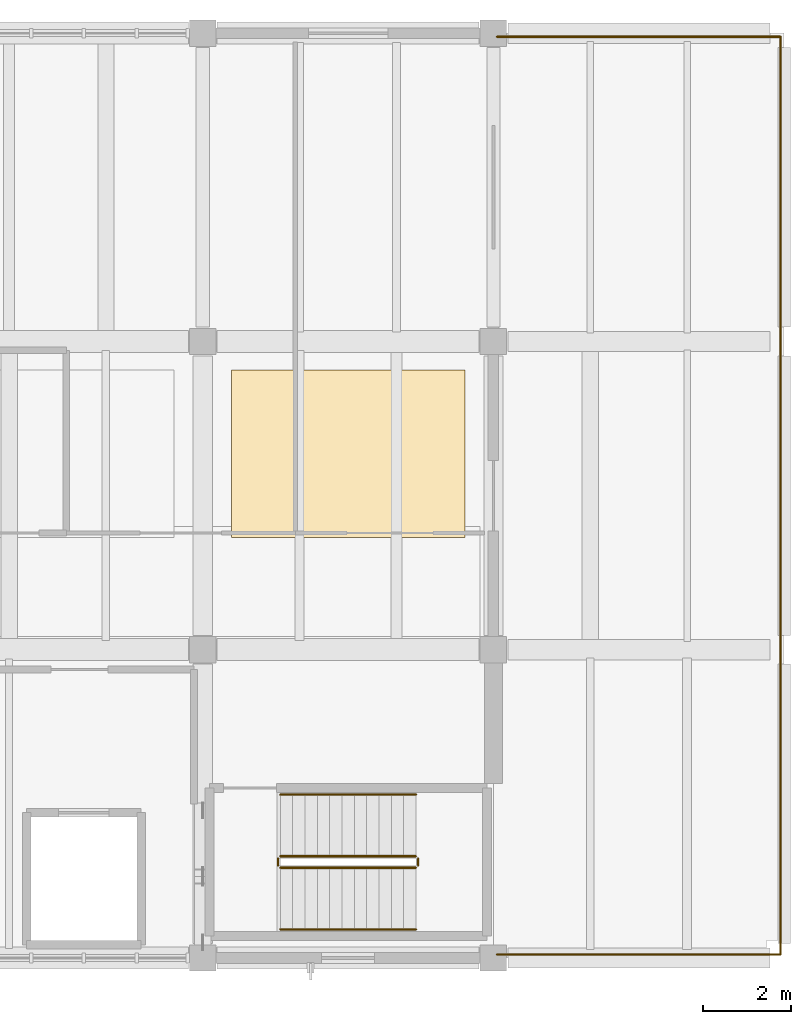
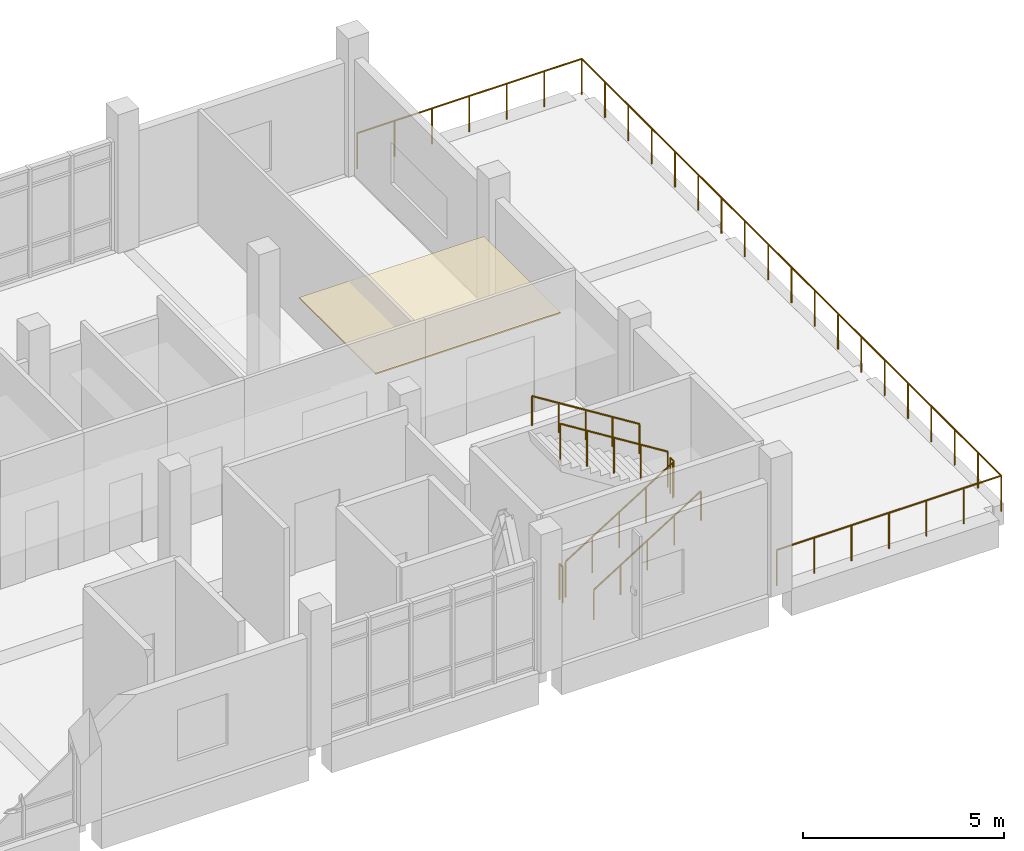
# One storey, part 14 of 14: 9 railings, 1 covering.
"""IFC4 building model written with IfcOpenShell, lengths in metres."""

import ifcopenshell
import ifcopenshell.guid

model = None  # the IFC model being written
_history = None  # IfcOwnerHistory: only IFC2X3 demands one
_inside = {}  # id of a spatial element -> (the spatial element, [elements in it])
_under = {}  # id of a project, library or spatial element -> (it, [spatial elements below it])
_declared = {}  # id of a project -> (the project, [libraries it declares])
_typed = {}  # id of a type object -> (the type object, [elements of that type])
_made_of = {}  # id of a material, layer set ... -> (it, [elements and type objects made of it])


def new_model(schema):
    """Start an empty IFC model of exactly this schema.

    Asked for "IFC4X3", IfcOpenShell would pick the latest addendum, in which some entities
    have other attributes; the version numbers below select the first issue.
    IFC2X3 requires an IfcOwnerHistory on every rooted entity: one is made here for all.
    """
    global model, _history
    if schema == "IFC4X3":
        model = ifcopenshell.file(schema_version=(4, 3, 0, 0))
    else:
        model = ifcopenshell.file(schema=schema)
    _inside.clear()
    _under.clear()
    _declared.clear()
    _typed.clear()
    _made_of.clear()
    _history = None
    if model.schema == "IFC2X3":
        org = make("IfcOrganization", Name="unknown")
        user = make(
            "IfcPersonAndOrganization",
            ThePerson=make("IfcPerson", FamilyName="unknown"),
            TheOrganization=org,
        )
        app = make(
            "IfcApplication",
            ApplicationDeveloper=org,
            Version="unknown",
            ApplicationFullName="unknown",
            ApplicationIdentifier="unknown",
        )
        _history = make(
            "IfcOwnerHistory",
            OwningUser=user,
            OwningApplication=app,
            ChangeAction="ADDED",
            CreationDate=0,
        )
    return model


def make(cls, **values):
    """One entity of the class cls with the attributes given. An attribute that is None is left unset."""
    return model.create_entity(
        cls, **{name: value for name, value in values.items() if value is not None}
    )


def rooted(cls, **values):
    """An entity with a GlobalId (a new one), such as an element, a storey or a relation."""
    return make(cls, GlobalId=ifcopenshell.guid.new(), OwnerHistory=_history, **values)


def si_unit(unit_type, name, prefix=None):
    """IfcSIUnit, for example si_unit("LENGTHUNIT", "METRE", prefix="MILLI")."""
    return make("IfcSIUnit", UnitType=unit_type, Prefix=prefix, Name=name)


def assignment(units):
    """IfcUnitAssignment: the units of a project."""
    return None if units is None else make("IfcUnitAssignment", Units=units)


def point(xyz):
    """IfcCartesianPoint."""
    return None if xyz is None else make("IfcCartesianPoint", Coordinates=xyz)


def direction(xyz):
    """IfcDirection."""
    return None if xyz is None else make("IfcDirection", DirectionRatios=xyz)


def frame(location, z_axis=None, x_axis=None):
    """IfcAxis2Placement3D, a coordinate frame: its origin and axes. An axis left out is left unset."""
    return make(
        "IfcAxis2Placement3D",
        Location=point(location),
        Axis=direction(z_axis),
        RefDirection=direction(x_axis),
    )


def frame_2d(location, x_axis=None):
    """IfcAxis2Placement2D, a coordinate frame in the plane: its origin and x axis."""
    return make(
        "IfcAxis2Placement2D", Location=point(location), RefDirection=direction(x_axis)
    )


def origin():
    """The frame at (0, 0, 0) with its axes left unset."""
    return frame((0.0, 0.0, 0.0))


def origin_2d():
    """The frame at (0, 0) in the plane with its x axis left unset."""
    return frame_2d((0.0, 0.0))


def place(relative_to, where):
    """IfcLocalPlacement: puts the frame where relative to a parent placement (None: the world)."""
    return make(
        "IfcLocalPlacement", PlacementRelTo=relative_to, RelativePlacement=where
    )


def context(
    kind, dimensions, precision=None, world=None, true_north=None, identifier=None
):
    """IfcGeometricRepresentationContext, for example the 3D "Model" context."""
    return make(
        "IfcGeometricRepresentationContext",
        ContextIdentifier=identifier,
        ContextType=kind,
        CoordinateSpaceDimension=dimensions,
        Precision=precision,
        WorldCoordinateSystem=world,
        TrueNorth=true_north,
    )


def subcontext(parent, identifier, kind, view, scale=None):
    """IfcGeometricRepresentationSubContext, for example "Body" below "Model"."""
    return make(
        "IfcGeometricRepresentationSubContext",
        ContextIdentifier=identifier,
        ContextType=kind,
        ParentContext=parent,
        TargetScale=scale,
        TargetView=view,
    )


def project(units=None, contexts=None):
    """IfcProject with its units and contexts."""
    return rooted(
        "IfcProject",
        Name="project",
        RepresentationContexts=contexts,
        UnitsInContext=assignment(units),
    )


def spatial(cls, under=None, at=None, **own):
    """A site, building, storey or space (cls), placed at a placement, below another one or the project."""
    s = rooted(cls, ObjectPlacement=at, **own)
    if under is not None:
        _under.setdefault(under.id(), (under, []))[1].append(s)
    return s


def polyline(points):
    """IfcPolyline through the points."""
    return make("IfcPolyline", Points=[point(p) for p in points])


def profile(cls, at=None, kind="AREA", **sizes):
    """A parametric profile (cls). Its sizes go by their IFC names, for example OverallWidth=200.0."""
    return make(cls, ProfileType=kind, Position=at, **sizes)


def circle(**sizes):
    """IfcCircleProfileDef."""
    return profile("IfcCircleProfileDef", **sizes)


def outline(outer, holes=None, kind="AREA"):
    """IfcArbitraryClosedProfileDef: a profile drawn as a closed curve; with holes, ...WithVoids."""
    if holes is None:
        return make("IfcArbitraryClosedProfileDef", ProfileType=kind, OuterCurve=outer)
    return make(
        "IfcArbitraryProfileDefWithVoids",
        ProfileType=kind,
        OuterCurve=outer,
        InnerCurves=holes,
    )


def extrude(swept, where, along, depth):
    """IfcExtrudedAreaSolid: the profile swept, set in the frame where, extruded along a direction by depth."""
    return make(
        "IfcExtrudedAreaSolid",
        SweptArea=swept,
        Position=where,
        ExtrudedDirection=direction(along),
        Depth=depth,
    )


def shape(context_of_items, identifier, shape_type, items):
    """IfcShapeRepresentation: the items that make up one representation, for example the "Body"."""
    return make(
        "IfcShapeRepresentation",
        ContextOfItems=context_of_items,
        RepresentationIdentifier=identifier,
        RepresentationType=shape_type,
        Items=items,
    )


def material(Name=None, Category=None):
    """IfcMaterial."""
    return make("IfcMaterial", Name=Name, Category=Category)


def layer(
    of_material, thickness, ventilated=None, Name=None, Category=None, Priority=None
):
    """IfcMaterialLayer: one layer of a wall or slab, of a material (None: an air gap)."""
    return make(
        "IfcMaterialLayer",
        Material=of_material,
        LayerThickness=thickness,
        IsVentilated=ventilated,
        Name=Name,
        Category=Category,
        Priority=Priority,
    )


def layer_set(layers, Name=None):
    """IfcMaterialLayerSet."""
    return make("IfcMaterialLayerSet", MaterialLayers=layers, LayerSetName=Name)


def made_of(thing, what):
    """Note that an element or type object is made of a material, layer set ...; save() writes the relation."""
    if what is not None:
        _made_of.setdefault(what.id(), (what, []))[1].append(thing)
    return thing


def type_object(cls, material=None, **own):
    """A type object (cls), such as IfcWallType, which elements share."""
    return made_of(rooted(cls, **own), material)


def element(
    cls,
    number,
    at=None,
    inside=None,
    cuts=None,
    type_object=None,
    material=None,
    context=None,
    identifier="Body",
    shape_type=None,
    held_by="IfcProductDefinitionShape",
    body=None,
    shapes=None,
    **own,
):
    """One element of the class cls, such as IfcWall. Its Tag is "e" and its number.

    at: its placement. inside: the storey or other place that contains it. cuts: it is an
    opening in that element (IfcRelVoidsElement). A single representation is given by context,
    identifier, shape_type and body (its items); several are given by shapes. held_by: the class
    of the entity that holds the representations. save() writes the other relations.
    """
    e = rooted(cls, Tag="e%d" % number, ObjectPlacement=at, **own)
    if body is not None:
        shapes = [shape(context, identifier, shape_type, body)]
    if shapes is not None:
        e.Representation = make(held_by, Representations=shapes)
    if inside is not None:
        _inside.setdefault(inside.id(), (inside, []))[1].append(e)
    if cuts is not None:
        rooted(
            "IfcRelVoidsElement", RelatingBuildingElement=cuts, RelatedOpeningElement=e
        )
    if type_object is not None:
        _typed.setdefault(type_object.id(), (type_object, []))[1].append(e)
    return made_of(e, material)


def aggregate(whole, parts):
    """IfcRelAggregates: a whole, such as a stair, and the parts it consists of."""
    return rooted("IfcRelAggregates", RelatingObject=whole, RelatedObjects=parts)


def save(model, path):
    """Write the relations noted so far, then the file.

    IfcRelAggregates (storeys below a building ...), IfcRelContainedInSpatialStructure (elements
    in a storey), IfcRelDefinesByType, IfcRelAssociatesMaterial and IfcRelDeclares: one each for
    every whole, place, type object, material and project.
    """
    for whole, parts in _under.values():
        aggregate(whole, parts)
    for where, things in _inside.values():
        rooted(
            "IfcRelContainedInSpatialStructure",
            RelatedElements=things,
            RelatingStructure=where,
        )
    for kind, things in _typed.values():
        rooted("IfcRelDefinesByType", RelatedObjects=things, RelatingType=kind)
    for what, things in _made_of.values():
        rooted("IfcRelAssociatesMaterial", RelatedObjects=things, RelatingMaterial=what)
    for by, libraries in _declared.values():
        rooted("IfcRelDeclares", RelatingContext=by, RelatedDefinitions=libraries)
    model.write(path)


model = new_model("IFC4")

# Units and contexts
model_context = context("Model", 3, precision=1e-05, world=origin(), true_north=direction((0.0, 1.0)))
body_context = subcontext(model_context, "Body", "Model", "MODEL_VIEW")
ifc_project = project(units=[si_unit("LENGTHUNIT", "METRE"), si_unit("AREAUNIT", "SQUARE_METRE"), si_unit("VOLUMEUNIT", "CUBIC_METRE"), si_unit("PLANEANGLEUNIT", "RADIAN"), si_unit("MASSUNIT", "GRAM", prefix="KILO")], contexts=[model_context])

# Site, building, storey
site_placement = place(None, origin())
site = spatial("IfcSite", under=ifc_project, at=site_placement, CompositionType="ELEMENT")
building_placement = place(site_placement, origin())
building = spatial("IfcBuilding", under=site, at=building_placement, Name="Ciguamira Faculty of Natural Sciences", CompositionType="ELEMENT")
storey_placement = place(building_placement, frame((0.0, 0.0, 29.39990234375)))
storey = spatial("IfcBuildingStorey", under=building, at=storey_placement, Name="L07", CompositionType="ELEMENT", Elevation=29.39990234375)

# Covering
ifc_material_1 = material(Name="Perforated white acoustic ceiling")
ifc_layer = layer(ifc_material_1, 0.0400390625, Name="Perforated white acoustic ceiling")
ifc_layer_set = layer_set([ifc_layer], Name="Perforated white acoustic ceiling")
covering_type = type_object("IfcCoveringType", Name="AcousticCeiling_AC01", PredefinedType="CEILING", material=ifc_layer_set)
covering_placement = place(storey_placement, frame((0.0, 0.0, 2.760009765625)))
element("IfcCovering", 1, at=covering_placement, inside=storey, type_object=covering_type, Name="L07 research bay 05 acoustic ceiling", PredefinedType="CEILING", context=body_context, shape_type="SweptSolid", body=[
    extrude(outline(polyline([(97.550048828125, 103.550048828125), (102.85009765625, 103.550048828125), (102.85009765625, 107.35009765625), (97.550048828125, 107.35009765625), (97.550048828125, 103.550048828125)])), origin(), (0.0, 0.0, 1.0), 0.0400390625),
])

# Railings
ifc_material_2 = material(Name="Stainless steel balustrade", Category="steel")
railing_type_1 = type_object("IfcRailingType", Name="Guardrail_GR01", PredefinedType="GUARDRAIL", material=ifc_material_2)
railing_1_placement = place(storey_placement, frame((103.580078125, 94.080078125, 0.0)))
element("IfcRailing", 2, at=railing_1_placement, inside=storey, type_object=railing_type_1, Name="L07 Windward Caribbean Loggia Terrace south guardrail", PredefinedType="GUARDRAIL", context=body_context, shape_type="SweptSolid", body=[
    extrude(circle(Radius=0.02392578125, at=origin_2d()), frame((0.0, 0.0, 1.076171875), z_axis=(1.0, 0.0, 0.0), x_axis=(0.0, 1.0, 0.0)), (0.0, 0.0, 1.0), 6.43994140625),
    extrude(circle(Radius=0.02099609375, at=origin_2d()), origin(), (0.0, 0.0, 1.0), 1.052001953125),
    extrude(circle(Radius=0.02099609375, at=origin_2d()), frame((1.0732421875, 0.0, 0.0)), (0.0, 0.0, 1.0), 1.052001953125),
    extrude(circle(Radius=0.02099609375, at=origin_2d()), frame((2.146728515625, 0.0, 0.0)), (0.0, 0.0, 1.0), 1.052001953125),
    extrude(circle(Radius=0.02099609375, at=origin_2d()), frame((3.219970703125, 0.0, 0.0)), (0.0, 0.0, 1.0), 1.052001953125),
    extrude(circle(Radius=0.02099609375, at=origin_2d()), frame((4.293212890625, 0.0, 0.0)), (0.0, 0.0, 1.0), 1.052001953125),
    extrude(circle(Radius=0.02099609375, at=origin_2d()), frame((5.36669921875, 0.0, 0.0)), (0.0, 0.0, 1.0), 1.052001953125),
    extrude(circle(Radius=0.02099609375, at=origin_2d()), frame((6.43994140625, 0.0, 0.0)), (0.0, 0.0, 1.0), 1.052001953125),
])
railing_2_placement = place(storey_placement, frame((110.02001953125, 94.080078125, 0.0)))
element("IfcRailing", 3, at=railing_2_placement, inside=storey, type_object=railing_type_1, Name="L07 Windward Caribbean Loggia Terrace east guardrail", PredefinedType="GUARDRAIL", context=body_context, shape_type="SweptSolid", body=[
    extrude(circle(Radius=0.02392578125, at=origin_2d()), frame((0.0, 0.0, 1.076171875), z_axis=(0.0, 1.0, 0.0), x_axis=(-1.0, 0.0, 0.0)), (0.0, 0.0, 1.0), 20.83984375),
    extrude(circle(Radius=0.02099609375, at=origin_2d()), origin(), (0.0, 0.0, 1.0), 1.052001953125),
    extrude(circle(Radius=0.02099609375, at=origin_2d()), frame((0.0, 1.15771484375, 0.0)), (0.0, 0.0, 1.0), 1.052001953125),
    extrude(circle(Radius=0.02099609375, at=origin_2d()), frame((0.0, 2.3154296875, 0.0)), (0.0, 0.0, 1.0), 1.052001953125),
    extrude(circle(Radius=0.02099609375, at=origin_2d()), frame((0.0, 3.473388671875, 0.0)), (0.0, 0.0, 1.0), 1.052001953125),
    extrude(circle(Radius=0.02099609375, at=origin_2d()), frame((0.0, 4.631103515625, 0.0)), (0.0, 0.0, 1.0), 1.052001953125),
    extrude(circle(Radius=0.02099609375, at=origin_2d()), frame((0.0, 5.788818359375, 0.0)), (0.0, 0.0, 1.0), 1.052001953125),
    extrude(circle(Radius=0.02099609375, at=origin_2d()), frame((0.0, 6.946533203125, 0.0)), (0.0, 0.0, 1.0), 1.052001953125),
    extrude(circle(Radius=0.02099609375, at=origin_2d()), frame((0.0, 8.1044921875, 0.0)), (0.0, 0.0, 1.0), 1.052001953125),
    extrude(circle(Radius=0.02099609375, at=origin_2d()), frame((0.0, 9.26220703125, 0.0)), (0.0, 0.0, 1.0), 1.052001953125),
    extrude(circle(Radius=0.02099609375, at=origin_2d()), frame((0.0, 10.419921875, 0.0)), (0.0, 0.0, 1.0), 1.052001953125),
    extrude(circle(Radius=0.02099609375, at=origin_2d()), frame((0.0, 11.57763671875, 0.0)), (0.0, 0.0, 1.0), 1.052001953125),
    extrude(circle(Radius=0.02099609375, at=origin_2d()), frame((0.0, 12.7353515625, 0.0)), (0.0, 0.0, 1.0), 1.052001953125),
    extrude(circle(Radius=0.02099609375, at=origin_2d()), frame((0.0, 13.893310546875, 0.0)), (0.0, 0.0, 1.0), 1.052001953125),
    extrude(circle(Radius=0.02099609375, at=origin_2d()), frame((0.0, 15.051025390625, 0.0)), (0.0, 0.0, 1.0), 1.052001953125),
    extrude(circle(Radius=0.02099609375, at=origin_2d()), frame((0.0, 16.208740234375, 0.0)), (0.0, 0.0, 1.0), 1.052001953125),
    extrude(circle(Radius=0.02099609375, at=origin_2d()), frame((0.0, 17.366455078125, 0.0)), (0.0, 0.0, 1.0), 1.052001953125),
    extrude(circle(Radius=0.02099609375, at=origin_2d()), frame((0.0, 18.5244140625, 0.0)), (0.0, 0.0, 1.0), 1.052001953125),
    extrude(circle(Radius=0.02099609375, at=origin_2d()), frame((0.0, 19.68212890625, 0.0)), (0.0, 0.0, 1.0), 1.052001953125),
    extrude(circle(Radius=0.02099609375, at=origin_2d()), frame((0.0, 20.83984375, 0.0)), (0.0, 0.0, 1.0), 1.052001953125),
])
railing_3_placement = place(storey_placement, frame((103.580078125, 114.919921875, 0.0)))
element("IfcRailing", 4, at=railing_3_placement, inside=storey, type_object=railing_type_1, Name="L07 Windward Caribbean Loggia Terrace north guardrail", PredefinedType="GUARDRAIL", context=body_context, shape_type="SweptSolid", body=[
    extrude(circle(Radius=0.02392578125, at=origin_2d()), frame((0.0, 0.0, 1.076171875), z_axis=(1.0, 0.0, 0.0), x_axis=(0.0, 1.0, 0.0)), (0.0, 0.0, 1.0), 6.43994140625),
    extrude(circle(Radius=0.02099609375, at=origin_2d()), origin(), (0.0, 0.0, 1.0), 1.052001953125),
    extrude(circle(Radius=0.02099609375, at=origin_2d()), frame((1.0732421875, 0.0, 0.0)), (0.0, 0.0, 1.0), 1.052001953125),
    extrude(circle(Radius=0.02099609375, at=origin_2d()), frame((2.146728515625, 0.0, 0.0)), (0.0, 0.0, 1.0), 1.052001953125),
    extrude(circle(Radius=0.02099609375, at=origin_2d()), frame((3.219970703125, 0.0, 0.0)), (0.0, 0.0, 1.0), 1.052001953125),
    extrude(circle(Radius=0.02099609375, at=origin_2d()), frame((4.293212890625, 0.0, 0.0)), (0.0, 0.0, 1.0), 1.052001953125),
    extrude(circle(Radius=0.02099609375, at=origin_2d()), frame((5.36669921875, 0.0, 0.0)), (0.0, 0.0, 1.0), 1.052001953125),
    extrude(circle(Radius=0.02099609375, at=origin_2d()), frame((6.43994140625, 0.0, 0.0)), (0.0, 0.0, 1.0), 1.052001953125),
])
railing_4_placement = place(storey_placement, frame((98.659912109375, 96.050048828125, 0.175048828125)))
element("IfcRailing", 5, at=railing_4_placement, inside=storey, type_object=railing_type_1, Name="L07 ST-T2 stair guard 1", PredefinedType="GUARDRAIL", context=body_context, shape_type="SweptSolid", body=[
    extrude(circle(Radius=0.02392578125, at=origin_2d()), frame((0.0, 0.0, 1.076171875), z_axis=(0.847998304005, 0.0, 0.529998940003), x_axis=(0.0, 1.0, 0.0)), (0.0, 0.0, 1.0), 3.632080078125),
    extrude(circle(Radius=0.02099609375, at=origin_2d()), origin(), (0.0, 0.0, 1.0), 1.052001953125),
    extrude(circle(Radius=0.02099609375, at=origin_2d()), frame((0.77001953125, 0.0, 0.481201171875)), (0.0, 0.0, 1.0), 1.052001953125),
    extrude(circle(Radius=0.02099609375, at=origin_2d()), frame((1.5400390625, 0.0, 0.96240234375)), (0.0, 0.0, 1.0), 1.052001953125),
    extrude(circle(Radius=0.02099609375, at=origin_2d()), frame((2.31005859375, 0.0, 1.44384765625)), (0.0, 0.0, 1.0), 1.052001953125),
    extrude(circle(Radius=0.02099609375, at=origin_2d()), frame((3.080078125, 0.0, 1.925048828125)), (0.0, 0.0, 1.0), 1.052001953125),
])
railing_5_placement = place(storey_placement, frame((101.7900390625, 96.10009765625, 2.10009765625)))
element("IfcRailing", 6, at=railing_5_placement, inside=storey, type_object=railing_type_1, Name="L07 ST-T2 stair guard 2", PredefinedType="GUARDRAIL", context=body_context, shape_type="SweptSolid", body=[
    extrude(circle(Radius=0.02392578125, at=origin_2d()), frame((0.0, 0.0, 1.076171875), z_axis=(0.0, 1.0, 0.0), x_axis=(-1.0, 0.0, 0.0)), (0.0, 0.0, 1.0), 0.159912109375),
    extrude(circle(Radius=0.02099609375, at=origin_2d()), origin(), (0.0, 0.0, 1.0), 1.052001953125),
    extrude(circle(Radius=0.02099609375, at=origin_2d()), frame((0.0, 0.159912109375, 0.0)), (0.0, 0.0, 1.0), 1.052001953125),
])
railing_6_placement = place(storey_placement, frame((101.739990234375, 96.31005859375, 2.275146484375)))
element("IfcRailing", 7, at=railing_6_placement, inside=storey, type_object=railing_type_1, Name="L07 ST-T2 stair guard 3", PredefinedType="GUARDRAIL", context=body_context, shape_type="SweptSolid", body=[
    extrude(circle(Radius=0.02392578125, at=origin_2d()), frame((0.0, 0.0, 1.076171875), z_axis=(-0.847998304005, 0.0, 0.529998940003), x_axis=(0.0, -1.0, 0.0)), (0.0, 0.0, 1.0), 3.632080078125),
    extrude(circle(Radius=0.02099609375, at=origin_2d()), origin(), (0.0, 0.0, 1.0), 1.052001953125),
    extrude(circle(Radius=0.02099609375, at=origin_2d()), frame((-0.77001953125, 0.0, 0.481201171875)), (0.0, 0.0, 1.0), 1.052001953125),
    extrude(circle(Radius=0.02099609375, at=origin_2d()), frame((-1.5400390625, 0.0, 0.96240234375)), (0.0, 0.0, 1.0), 1.052001953125),
    extrude(circle(Radius=0.02099609375, at=origin_2d()), frame((-2.31005859375, 0.0, 1.44384765625)), (0.0, 0.0, 1.0), 1.052001953125),
    extrude(circle(Radius=0.02099609375, at=origin_2d()), frame((-3.080078125, 0.0, 1.925048828125)), (0.0, 0.0, 1.0), 1.052001953125),
])
railing_7_placement = place(storey_placement, frame((98.610107421875, 96.10009765625, 0.0)))
element("IfcRailing", 8, at=railing_7_placement, inside=storey, type_object=railing_type_1, Name="L07 ST-T2 stair guard 4", PredefinedType="GUARDRAIL", context=body_context, shape_type="SweptSolid", body=[
    extrude(circle(Radius=0.02392578125, at=origin_2d()), frame((0.0, 0.0, 1.076171875), z_axis=(0.0, 1.0, 0.0), x_axis=(-1.0, 0.0, 0.0)), (0.0, 0.0, 1.0), 0.159912109375),
    extrude(circle(Radius=0.02099609375, at=origin_2d()), origin(), (0.0, 0.0, 1.0), 1.052001953125),
    extrude(circle(Radius=0.02099609375, at=origin_2d()), frame((0.0, 0.159912109375, 0.0)), (0.0, 0.0, 1.0), 1.052001953125),
])
ifc_material_3 = material(Name="Stainless steel handrail", Category="steel")
railing_type_2 = type_object("IfcRailingType", Name="Handrail_HR01", PredefinedType="HANDRAIL", material=ifc_material_3)
railing_8_placement = place(storey_placement, frame((98.659912109375, 94.64990234375, 0.35009765625)))
element("IfcRailing", 9, at=railing_8_placement, inside=storey, type_object=railing_type_2, Name="L07 ST-T2 stair handrail 1", PredefinedType="HANDRAIL", context=body_context, shape_type="SweptSolid", body=[
    extrude(circle(Radius=0.02392578125, at=origin_2d()), frame((0.0, 0.0, 0.89111328125), z_axis=(0.847998304005, 0.0, 0.529998940003), x_axis=(0.0, 1.0, 0.0)), (0.0, 0.0, 1.0), 3.632080078125),
    extrude(circle(Radius=0.02099609375, at=origin_2d()), origin(), (0.0, 0.0, 1.0), 0.866943359375),
    extrude(circle(Radius=0.02099609375, at=origin_2d()), frame((0.77001953125, 0.0, 0.481201171875)), (0.0, 0.0, 1.0), 0.866943359375),
    extrude(circle(Radius=0.02099609375, at=origin_2d()), frame((1.5400390625, 0.0, 0.96240234375)), (0.0, 0.0, 1.0), 0.866943359375),
    extrude(circle(Radius=0.02099609375, at=origin_2d()), frame((2.31005859375, 0.0, 1.44384765625)), (0.0, 0.0, 1.0), 0.866943359375),
    extrude(circle(Radius=0.02099609375, at=origin_2d()), frame((3.080078125, 0.0, 1.925048828125)), (0.0, 0.0, 1.0), 0.866943359375),
])
railing_9_placement = place(storey_placement, frame((101.739990234375, 97.7099609375, 2.4501953125)))
element("IfcRailing", 10, at=railing_9_placement, inside=storey, type_object=railing_type_2, Name="L07 ST-T2 stair handrail 2", PredefinedType="HANDRAIL", context=body_context, shape_type="SweptSolid", body=[
    extrude(circle(Radius=0.02392578125, at=origin_2d()), frame((0.0, 0.0, 0.89111328125), z_axis=(-0.848028513186, 0.0, 0.529950602248), x_axis=(0.0, -1.0, 0.0)), (0.0, 0.0, 1.0), 3.632080078125),
    extrude(circle(Radius=0.02099609375, at=origin_2d()), origin(), (0.0, 0.0, 1.0), 0.866943359375),
    extrude(circle(Radius=0.02099609375, at=origin_2d()), frame((-0.77001953125, 0.0, 0.481201171875)), (0.0, 0.0, 1.0), 0.866943359375),
    extrude(circle(Radius=0.02099609375, at=origin_2d()), frame((-1.5400390625, 0.0, 0.96240234375)), (0.0, 0.0, 1.0), 0.866943359375),
    extrude(circle(Radius=0.02099609375, at=origin_2d()), frame((-2.31005859375, 0.0, 1.443603515625)), (0.0, 0.0, 1.0), 0.866943359375),
    extrude(circle(Radius=0.02099609375, at=origin_2d()), frame((-3.080078125, 0.0, 1.9248046875)), (0.0, 0.0, 1.0), 0.866943359375),
])

save(model, "model.ifc")
